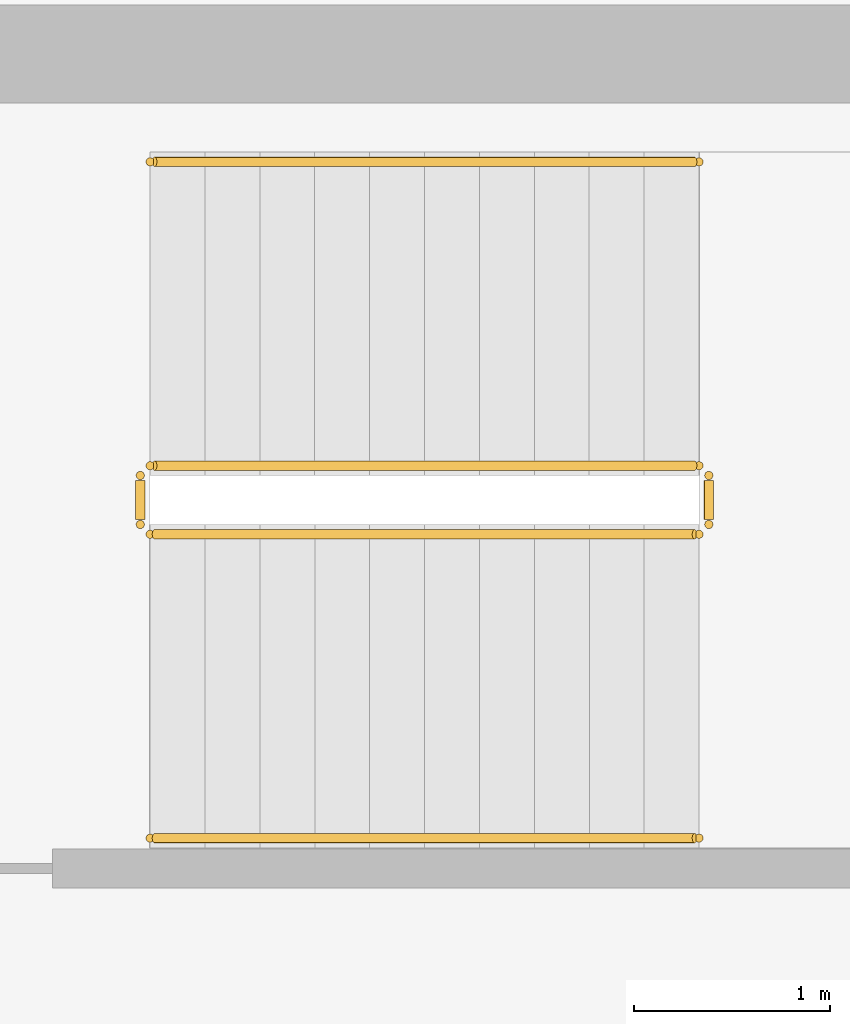
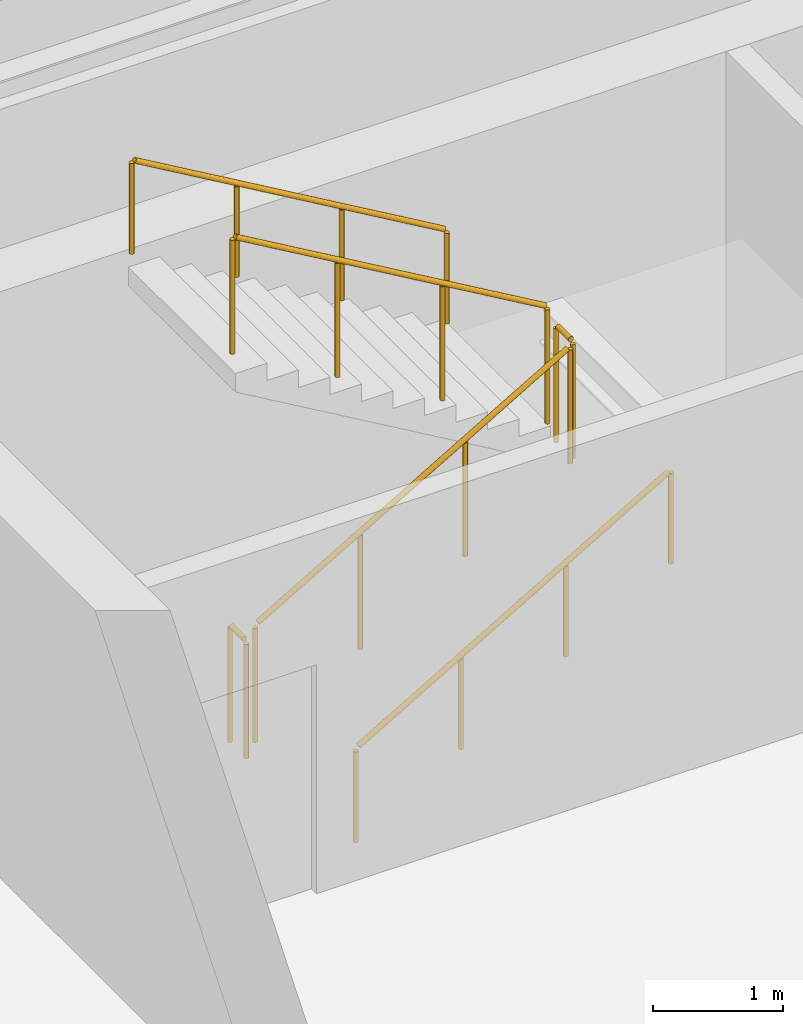
# One storey, part 11 of 11: 6 railings.
"""IFC4 building model written with IfcOpenShell, lengths in metres."""

from ifc_helpers import new_model, si_unit, direction, frame, origin, origin_2d, place, context, subcontext, project, spatial, circle, extrude, source, transform, mapped, material, layer, layer_set, type_object, element, save


model = new_model("IFC4")

# Units and contexts
model_context = context("Model", 3, precision=1e-05, world=origin(), true_north=direction((0.0, 1.0)))
body_context = subcontext(model_context, "Body", "Model", "MODEL_VIEW")
ifc_project = project(units=[si_unit("LENGTHUNIT", "METRE"), si_unit("AREAUNIT", "SQUARE_METRE"), si_unit("VOLUMEUNIT", "CUBIC_METRE"), si_unit("PLANEANGLEUNIT", "RADIAN"), si_unit("MASSUNIT", "GRAM", prefix="KILO")], contexts=[model_context])

# Site, building, storey
site_placement = place(None, origin())
site = spatial("IfcSite", under=ifc_project, at=site_placement, CompositionType="ELEMENT")
building_placement = place(site_placement, origin())
building = spatial("IfcBuilding", under=site, at=building_placement, Name="Kharzan Plaza Tower", CompositionType="ELEMENT")
storey_placement = place(building_placement, frame((0.0, 0.0, 262.800048828125)))
storey = spatial("IfcBuildingStorey", under=building, at=storey_placement, Name="L71", CompositionType="ELEMENT", Elevation=262.800048828125)

# Railings
ifc_material_1 = material(Name="Painted Galvanized Architectural Steel", Category="steel")
ifc_layer_1 = layer(ifc_material_1, 0.074951171875)
ifc_layer_set_1 = layer_set([ifc_layer_1], Name="Painted Galvanized Architectural Steel")
railing_type_1 = type_object("IfcRailingType", Name="RL-GUARD-1120", PredefinedType="BALUSTRADE", material=ifc_layer_set_1)
shared_shape_1 = source(origin(), body_context, "Body", "SweptSolid", [
    extrude(circle(Radius=0.02392578125, at=origin_2d()), frame((0.0, 0.0263671875, 1.09619140625), z_axis=(0.0, 1.0, 0.0), x_axis=(-1.0, 0.0, 0.0)), (0.0, 0.0, 1.0), 0.197021484375),
    extrude(circle(Radius=0.02099609375, at=origin_2d()), origin(), (0.0, 0.0, 1.0), 1.072021484375),
    extrude(circle(Radius=0.02099609375, at=origin_2d()), frame((0.0, 0.25, 0.0)), (0.0, 0.0, 1.0), 1.072021484375),
])
for number, where, name in (
    (1, (9.60009765625, 27.10009765625, 1.800048828125), "L71 ST-2 stair guard 2"),
    (2, (6.699951171875, 27.10009765625, 0.0), "L71 ST-2 stair guard 4"),
):
    element("IfcRailing", number, at=place(storey_placement, frame(where)), inside=storey, type_object=railing_type_1, Name=name, PredefinedType="BALUSTRADE", context=body_context, shape_type="MappedRepresentation", body=[
        mapped(shared_shape_1, transform((0.0, 0.0, 0.0), x_axis=(1.0, 0.0, 0.0), y_axis=(0.0, 1.0, 0.0), z_axis=(0.0, 0.0, 1.0))),
    ])
shared_shape_2 = source(origin(), body_context, "Body", "SweptSolid", [
    extrude(circle(Radius=0.02392578125, at=origin_2d()), frame((0.02294921875, 0.0, 1.109375), z_axis=(0.863360870873, 0.0, 0.504586966384), x_axis=(0.0, 1.0, 0.0)), (0.0, 0.0, 1.0), 3.190185546875),
    extrude(circle(Radius=0.02099609375, at=origin_2d()), origin(), (0.0, 0.0, 1.0), 1.072021484375),
    extrude(circle(Radius=0.02099609375, at=origin_2d()), frame((0.933349609375, 0.0, 0.54541015625)), (0.0, 0.0, 1.0), 1.072021484375),
    extrude(circle(Radius=0.02099609375, at=origin_2d()), frame((1.86669921875, 0.0, 1.091064453125)), (0.0, 0.0, 1.0), 1.072021484375),
    extrude(circle(Radius=0.02099609375, at=origin_2d()), frame((2.800048828125, 0.0, 1.636474609375)), (0.0, 0.0, 1.0), 1.072021484375),
])
railing_1_placement = place(storey_placement, frame((6.75, 27.050048828125, 0.16357421875)))
element("IfcRailing", 3, at=railing_1_placement, inside=storey, type_object=railing_type_1, Name="L71 ST-2 stair guard 1", PredefinedType="BALUSTRADE", context=body_context, shape_type="MappedRepresentation", body=[
    mapped(shared_shape_2, transform((0.0, 0.0, 0.0), x_axis=(1.0, 0.0, 0.0), y_axis=(0.0, 1.0, 0.0), z_axis=(0.0, 0.0, 1.0))),
])
ifc_material_2 = material(Name="Brushed Stainless Steel", Category="steel")
ifc_layer_2 = layer(ifc_material_2, 0.050048828125)
ifc_layer_set_2 = layer_set([ifc_layer_2], Name="Brushed Stainless Steel")
railing_type_2 = type_object("IfcRailingType", Name="RL-STAIR-HR920", PredefinedType="HANDRAIL", material=ifc_layer_set_2)
shared_shape_3 = source(origin(), body_context, "Body", "SweptSolid", [
    extrude(circle(Radius=0.02392578125, at=origin_2d()), frame((0.02294921875, 0.0, 0.88916015625), z_axis=(0.863360870873, 0.0, 0.504586966384), x_axis=(0.0, 1.0, 0.0)), (0.0, 0.0, 1.0), 3.190185546875),
    extrude(circle(Radius=0.02099609375, at=origin_2d()), origin(), (0.0, 0.0, 1.0), 0.851806640625),
    extrude(circle(Radius=0.02099609375, at=origin_2d()), frame((0.933349609375, 0.0, 0.54541015625)), (0.0, 0.0, 1.0), 0.851806640625),
    extrude(circle(Radius=0.02099609375, at=origin_2d()), frame((1.86669921875, 0.0, 1.091064453125)), (0.0, 0.0, 1.0), 0.851806640625),
    extrude(circle(Radius=0.02099609375, at=origin_2d()), frame((2.800048828125, 0.0, 1.636474609375)), (0.0, 0.0, 1.0), 0.851806640625),
])
railing_2_placement = place(storey_placement, frame((6.75, 25.5, 0.16357421875)))
element("IfcRailing", 4, at=railing_2_placement, inside=storey, type_object=railing_type_2, Name="L71 ST-2 stair handrail 1", PredefinedType="HANDRAIL", context=body_context, shape_type="MappedRepresentation", body=[
    mapped(shared_shape_3, transform((0.0, 0.0, 0.0), x_axis=(1.0, 0.0, 0.0), y_axis=(0.0, 1.0, 0.0), z_axis=(0.0, 0.0, 1.0))),
])
shared_shape_4 = source(origin(), body_context, "Body", "SweptSolid", [
    extrude(circle(Radius=0.02392578125, at=origin_2d()), frame((-0.02294921875, 0.0, 1.109375), z_axis=(-0.863393664356, 0.0, 0.504530851732), x_axis=(0.0, -1.0, 0.0)), (0.0, 0.0, 1.0), 3.190185546875),
    extrude(circle(Radius=0.02099609375, at=origin_2d()), origin(), (0.0, 0.0, 1.0), 1.072021484375),
    extrude(circle(Radius=0.02099609375, at=origin_2d()), frame((-0.933349609375, 0.0, 0.54541015625)), (0.0, 0.0, 1.0), 1.072021484375),
    extrude(circle(Radius=0.02099609375, at=origin_2d()), frame((-1.86669921875, 0.0, 1.0908203125)), (0.0, 0.0, 1.0), 1.072021484375),
    extrude(circle(Radius=0.02099609375, at=origin_2d()), frame((-2.800048828125, 0.0, 1.63623046875)), (0.0, 0.0, 1.0), 1.072021484375),
])
railing_3_placement = place(storey_placement, frame((9.550048828125, 27.39990234375, 1.963623046875)))
element("IfcRailing", 5, at=railing_3_placement, inside=storey, type_object=railing_type_1, Name="L71 ST-2 stair guard 3", PredefinedType="BALUSTRADE", context=body_context, shape_type="MappedRepresentation", body=[
    mapped(shared_shape_4, transform((0.0, 0.0, 0.0), x_axis=(1.0, 0.0, 0.0), y_axis=(0.0, 1.0, 0.0), z_axis=(0.0, 0.0, 1.0))),
])
shared_shape_5 = source(origin(), body_context, "Body", "SweptSolid", [
    extrude(circle(Radius=0.02392578125, at=origin_2d()), frame((-0.02294921875, 0.0, 0.88916015625), z_axis=(-0.863393664356, 0.0, 0.504530851732), x_axis=(0.0, -1.0, 0.0)), (0.0, 0.0, 1.0), 3.190185546875),
    extrude(circle(Radius=0.02099609375, at=origin_2d()), origin(), (0.0, 0.0, 1.0), 0.851806640625),
    extrude(circle(Radius=0.02099609375, at=origin_2d()), frame((-0.933349609375, 0.0, 0.54541015625)), (0.0, 0.0, 1.0), 0.851806640625),
    extrude(circle(Radius=0.02099609375, at=origin_2d()), frame((-1.86669921875, 0.0, 1.0908203125)), (0.0, 0.0, 1.0), 0.851806640625),
    extrude(circle(Radius=0.02099609375, at=origin_2d()), frame((-2.800048828125, 0.0, 1.63623046875)), (0.0, 0.0, 1.0), 0.851806640625),
])
railing_4_placement = place(storey_placement, frame((9.550048828125, 28.949951171875, 1.963623046875)))
element("IfcRailing", 6, at=railing_4_placement, inside=storey, type_object=railing_type_2, Name="L71 ST-2 stair handrail 2", PredefinedType="HANDRAIL", context=body_context, shape_type="MappedRepresentation", body=[
    mapped(shared_shape_5, transform((0.0, 0.0, 0.0), x_axis=(1.0, 0.0, 0.0), y_axis=(0.0, 1.0, 0.0), z_axis=(0.0, 0.0, 1.0))),
])

save(model, "model.ifc")
